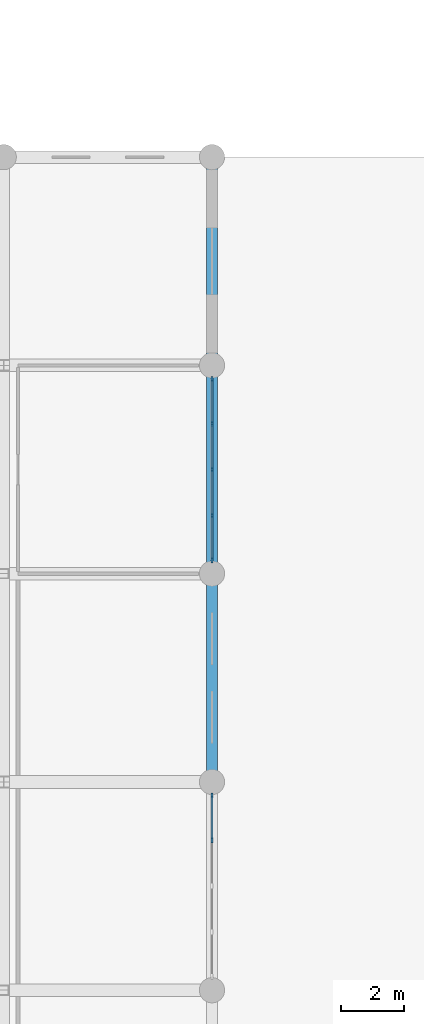
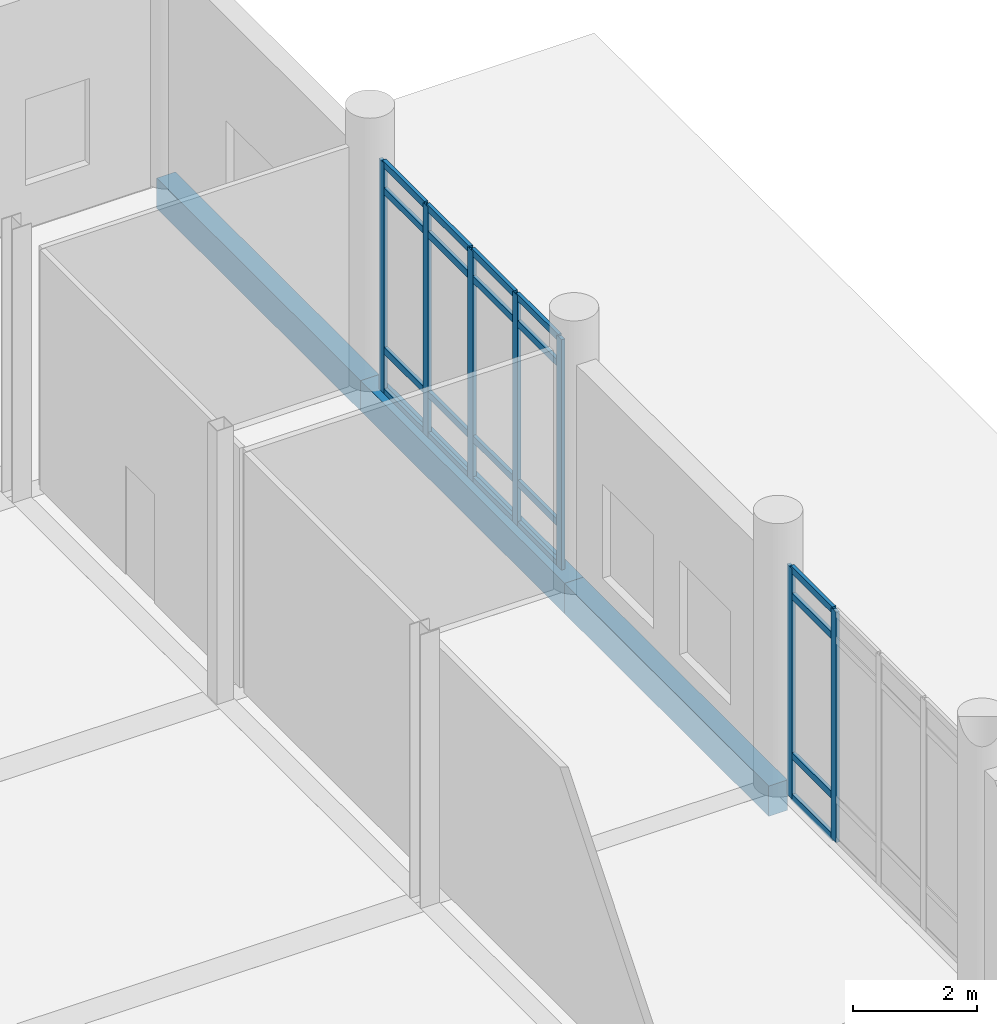
# One storey, part 20 of 72: 27 members, 3 beams, 2 elements without a shape of their own.
"""IFC4 building model written with IfcOpenShell, lengths in metres."""

from ifc_helpers import new_model, si_unit, direction, frame, origin, origin_2d, place, context, subcontext, project, spatial, rectangle, extrude, material, material_profile, profile_set, type_object, element, aggregate, save


model = new_model("IFC4")

# Units and contexts
model_context = context("Model", 3, precision=1e-05, world=origin(), true_north=direction((0.0, 1.0)))
body_context = subcontext(model_context, "Body", "Model", "MODEL_VIEW")
ifc_project = project(units=[si_unit("LENGTHUNIT", "METRE"), si_unit("AREAUNIT", "SQUARE_METRE"), si_unit("VOLUMEUNIT", "CUBIC_METRE"), si_unit("PLANEANGLEUNIT", "RADIAN"), si_unit("MASSUNIT", "GRAM", prefix="KILO")], contexts=[model_context])

# Site, building, storey
site_placement = place(None, origin())
site = spatial("IfcSite", under=ifc_project, at=site_placement, CompositionType="ELEMENT")
building_placement = place(site_placement, origin())
building = spatial("IfcBuilding", under=site, at=building_placement, Name="Dornvale Research Institute", CompositionType="ELEMENT")
storey_placement = place(building_placement, origin())
storey = spatial("IfcBuildingStorey", under=building, at=storey_placement, Name="L00", CompositionType="ELEMENT", Elevation=0.0)

# Beams
ifc_material_1 = material(Name="Concrete f'c 45 MPa (C35/45)", Category="concrete")
ifc_material_profile_1 = material_profile(ifc_material_1, rectangle(XDim=0.35009765625, YDim=0.60009765625, at=origin_2d()), Name="RC 350x600")
ifc_profile_set_1 = profile_set([ifc_material_profile_1], Name="Concrete f'c 45 MPa (C35/45)")
beam_type = type_object("IfcBeamType", Name="Beam_RC350x600_Floor", PredefinedType="BEAM", material=ifc_profile_set_1)
beam_1_placement = place(storey_placement, frame((66.0, 66.0, -0.300048828125), z_axis=(0.0, 1.0, 0.0), x_axis=(-1.0, 0.0, 0.0)))
element("IfcBeam", 1, at=beam_1_placement, inside=storey, type_object=beam_type, Name="L00 transverse girder #265", PredefinedType="BEAM", context=body_context, shape_type="SweptSolid", body=[
    extrude(rectangle(XDim=0.35009765625, YDim=0.60009765625, at=origin_2d()), origin(), (0.0, 0.0, 1.0), 6.60009765625),
])
beam_2_placement = place(storey_placement, frame((66.0, 72.60009765625, -0.300048828125), z_axis=(0.0, 1.0, 0.0), x_axis=(-1.0, 0.0, 0.0)))
element("IfcBeam", 2, at=beam_2_placement, inside=storey, type_object=beam_type, Name="L00 transverse girder #266", PredefinedType="BEAM", context=body_context, shape_type="SweptSolid", body=[
    extrude(rectangle(XDim=0.35009765625, YDim=0.60009765625, at=origin_2d()), origin(), (0.0, 0.0, 1.0), 6.599853515625),
])
beam_3_placement = place(storey_placement, frame((66.0, 79.199951171875, -0.300048828125), z_axis=(0.0, 1.0, 0.0), x_axis=(-1.0, 0.0, 0.0)))
element("IfcBeam", 3, at=beam_3_placement, inside=storey, type_object=beam_type, Name="L00 transverse girder #267", PredefinedType="BEAM", context=body_context, shape_type="SweptSolid", body=[
    extrude(rectangle(XDim=0.35009765625, YDim=0.60009765625, at=origin_2d()), origin(), (0.0, 0.0, 1.0), 6.60009765625),
])

# Curtain wall, members
ifc_material_2 = material(Name="Low-E Argon Double Insulating Glazing Unit", Category="glass")
curtain_wall_type = type_object("IfcCurtainWallType", Name="UnitisedCurtainWall_V2_5810x4550", PredefinedType="USERDEFINED", material=ifc_material_2)
curtain_wall_1_placement = place(storey_placement, origin())
curtain_wall_1 = element("IfcCurtainWall", 4, at=curtain_wall_1_placement, inside=storey, type_object=curtain_wall_type, Name="L00 V2 unitised curtain wall CW-01 #2", ObjectType="UNITISED CURTAIN WALL", PredefinedType="USERDEFINED")
ifc_material_3 = material(Name="Anodized Aluminum AA 6063-T6 Thermally Broken Frame", Category="aluminium")
ifc_material_profile_2 = material_profile(ifc_material_3, rectangle(XDim=0.06494140625, YDim=0.1650390625, at=origin_2d()), Name="ALU MULLION 65x165")
ifc_profile_set_2 = profile_set([ifc_material_profile_2], Name="Anodized Aluminum AA 6063-T6 Thermally Broken Frame")
member_type_1 = type_object("IfcMemberType", Name="Mullion_Atrium_65x165", PredefinedType="MULLION", material=ifc_profile_set_2)
member_1_placement = place(storey_placement, frame((66.0, 78.7724609375, 0.0), z_axis=(0.0, 0.0, 1.0), x_axis=(1.0, 0.0, 0.0)))
member_1 = element("IfcMember", 5, at=member_1_placement, type_object=member_type_1, Name="CW-01 mullion 1", PredefinedType="MULLION", context=body_context, shape_type="SweptSolid", body=[
    extrude(rectangle(XDim=0.06494140625, YDim=0.1650390625, at=origin_2d()), origin(), (0.0, 0.0, 1.0), 4.550048828125),
])
member_2_placement = place(storey_placement, frame((66.0, 77.3525390625, 0.0), z_axis=(0.0, 0.0, 1.0), x_axis=(1.0, 0.0, 0.0)))
member_2 = element("IfcMember", 6, at=member_2_placement, type_object=member_type_1, Name="CW-01 mullion 2", PredefinedType="MULLION", context=body_context, shape_type="SweptSolid", body=[
    extrude(rectangle(XDim=0.06494140625, YDim=0.1650390625, at=origin_2d()), origin(), (0.0, 0.0, 1.0), 4.550048828125),
])
member_3_placement = place(storey_placement, frame((66.0, 75.89990234375, 0.0), z_axis=(0.0, 0.0, 1.0), x_axis=(1.0, 0.0, 0.0)))
member_3 = element("IfcMember", 7, at=member_3_placement, type_object=member_type_1, Name="CW-01 mullion 3", PredefinedType="MULLION", context=body_context, shape_type="SweptSolid", body=[
    extrude(rectangle(XDim=0.06494140625, YDim=0.1650390625, at=origin_2d()), origin(), (0.0, 0.0, 1.0), 4.550048828125),
])
member_4_placement = place(storey_placement, frame((66.0, 74.447509765625, 0.0), z_axis=(0.0, 0.0, 1.0), x_axis=(1.0, 0.0, 0.0)))
member_4 = element("IfcMember", 8, at=member_4_placement, type_object=member_type_1, Name="CW-01 mullion 4", PredefinedType="MULLION", context=body_context, shape_type="SweptSolid", body=[
    extrude(rectangle(XDim=0.06494140625, YDim=0.1650390625, at=origin_2d()), origin(), (0.0, 0.0, 1.0), 4.550048828125),
])
member_5_placement = place(storey_placement, frame((66.0, 73.027587890625, 0.0), z_axis=(0.0, 0.0, 1.0), x_axis=(1.0, 0.0, 0.0)))
member_5 = element("IfcMember", 9, at=member_5_placement, type_object=member_type_1, Name="CW-01 mullion 5", PredefinedType="MULLION", context=body_context, shape_type="SweptSolid", body=[
    extrude(rectangle(XDim=0.06494140625, YDim=0.1650390625, at=origin_2d()), origin(), (0.0, 0.0, 1.0), 4.550048828125),
])

curtain_wall_2_placement = place(storey_placement, origin())
curtain_wall_2 = element("IfcCurtainWall", 10, at=curtain_wall_2_placement, inside=storey, type_object=curtain_wall_type, Name="L00 V2 unitised curtain wall CW-01 #3", ObjectType="UNITISED CURTAIN WALL", PredefinedType="USERDEFINED")
member_6_placement = place(storey_placement, frame((66.0, 65.572509765625, 0.0), z_axis=(0.0, 0.0, 1.0), x_axis=(1.0, 0.0, 0.0)))
member_6 = element("IfcMember", 11, at=member_6_placement, type_object=member_type_1, Name="CW-01 mullion 1", PredefinedType="MULLION", context=body_context, shape_type="SweptSolid", body=[
    extrude(rectangle(XDim=0.06494140625, YDim=0.1650390625, at=origin_2d()), origin(), (0.0, 0.0, 1.0), 4.550048828125),
])
member_7_placement = place(storey_placement, frame((66.0, 64.152587890625, 0.0), z_axis=(0.0, 0.0, 1.0), x_axis=(1.0, 0.0, 0.0)))
member_7 = element("IfcMember", 12, at=member_7_placement, type_object=member_type_1, Name="CW-01 mullion 2", PredefinedType="MULLION", context=body_context, shape_type="SweptSolid", body=[
    extrude(rectangle(XDim=0.06494140625, YDim=0.1650390625, at=origin_2d()), origin(), (0.0, 0.0, 1.0), 4.550048828125),
])

# Member
ifc_material_4 = material(Name="Anodized Aluminum AA 6063-T6 Thermally Broken Frame", Category="aluminium")
ifc_material_profile_3 = material_profile(ifc_material_4, rectangle(XDim=0.06494140625, YDim=0.135009765625, at=origin_2d()), Name="ALU TRANSOM 65x135")
ifc_profile_set_3 = profile_set([ifc_material_profile_3], Name="Anodized Aluminum AA 6063-T6 Thermally Broken Frame")
member_type_2 = type_object("IfcMemberType", Name="Transom_CW_65x135", PredefinedType="USERDEFINED", material=ifc_profile_set_3)
member_8_placement = place(storey_placement, frame((66.0, 78.739990234375, 0.032470703125), z_axis=(0.0, -1.0, 0.0), x_axis=(1.0, 0.0, 0.0)))
member_8 = element("IfcMember", 13, at=member_8_placement, type_object=member_type_2, Name="CW-01 transom 1.1", ObjectType="TRANSOM", PredefinedType="USERDEFINED", context=body_context, shape_type="SweptSolid", body=[
    extrude(rectangle(XDim=0.06494140625, YDim=0.135009765625, at=origin_2d()), origin(), (0.0, 0.0, 1.0), 1.35498046875),
])

member_9_placement = place(storey_placement, frame((66.0, 78.739990234375, 0.85009765625), z_axis=(0.0, -1.0, 0.0), x_axis=(1.0, 0.0, 0.0)))
member_9 = element("IfcMember", 14, at=member_9_placement, type_object=member_type_2, Name="CW-01 transom 1.2", ObjectType="TRANSOM", PredefinedType="USERDEFINED", context=body_context, shape_type="SweptSolid", body=[
    extrude(rectangle(XDim=0.06494140625, YDim=0.135009765625, at=origin_2d()), origin(), (0.0, 0.0, 1.0), 1.35498046875),
])

member_10_placement = place(storey_placement, frame((66.0, 78.739990234375, 4.0), z_axis=(0.0, -1.0, 0.0), x_axis=(1.0, 0.0, 0.0)))
member_10 = element("IfcMember", 15, at=member_10_placement, type_object=member_type_2, Name="CW-01 transom 1.3", ObjectType="TRANSOM", PredefinedType="USERDEFINED", context=body_context, shape_type="SweptSolid", body=[
    extrude(rectangle(XDim=0.06494140625, YDim=0.135009765625, at=origin_2d()), origin(), (0.0, 0.0, 1.0), 1.35498046875),
])

member_11_placement = place(storey_placement, frame((66.0, 78.739990234375, 4.517578125), z_axis=(0.0, -1.0, 0.0), x_axis=(1.0, 0.0, 0.0)))
member_11 = element("IfcMember", 16, at=member_11_placement, type_object=member_type_2, Name="CW-01 transom 1.4", ObjectType="TRANSOM", PredefinedType="USERDEFINED", context=body_context, shape_type="SweptSolid", body=[
    extrude(rectangle(XDim=0.06494140625, YDim=0.135009765625, at=origin_2d()), origin(), (0.0, 0.0, 1.0), 1.35498046875),
])

member_12_placement = place(storey_placement, frame((66.0, 77.320068359375, 0.032470703125), z_axis=(0.0, -1.0, 0.0), x_axis=(1.0, 0.0, 0.0)))
member_12 = element("IfcMember", 17, at=member_12_placement, type_object=member_type_2, Name="CW-01 transom 2.1", ObjectType="TRANSOM", PredefinedType="USERDEFINED", context=body_context, shape_type="SweptSolid", body=[
    extrude(rectangle(XDim=0.06494140625, YDim=0.135009765625, at=origin_2d()), origin(), (0.0, 0.0, 1.0), 1.387451171875),
])

member_13_placement = place(storey_placement, frame((66.0, 77.320068359375, 0.85009765625), z_axis=(0.0, -1.0, 0.0), x_axis=(1.0, 0.0, 0.0)))
member_13 = element("IfcMember", 18, at=member_13_placement, type_object=member_type_2, Name="CW-01 transom 2.2", ObjectType="TRANSOM", PredefinedType="USERDEFINED", context=body_context, shape_type="SweptSolid", body=[
    extrude(rectangle(XDim=0.06494140625, YDim=0.135009765625, at=origin_2d()), origin(), (0.0, 0.0, 1.0), 1.387451171875),
])

member_14_placement = place(storey_placement, frame((66.0, 77.320068359375, 4.0), z_axis=(0.0, -1.0, 0.0), x_axis=(1.0, 0.0, 0.0)))
member_14 = element("IfcMember", 19, at=member_14_placement, type_object=member_type_2, Name="CW-01 transom 2.3", ObjectType="TRANSOM", PredefinedType="USERDEFINED", context=body_context, shape_type="SweptSolid", body=[
    extrude(rectangle(XDim=0.06494140625, YDim=0.135009765625, at=origin_2d()), origin(), (0.0, 0.0, 1.0), 1.387451171875),
])

member_15_placement = place(storey_placement, frame((66.0, 77.320068359375, 4.517578125), z_axis=(0.0, -1.0, 0.0), x_axis=(1.0, 0.0, 0.0)))
member_15 = element("IfcMember", 20, at=member_15_placement, type_object=member_type_2, Name="CW-01 transom 2.4", ObjectType="TRANSOM", PredefinedType="USERDEFINED", context=body_context, shape_type="SweptSolid", body=[
    extrude(rectangle(XDim=0.06494140625, YDim=0.135009765625, at=origin_2d()), origin(), (0.0, 0.0, 1.0), 1.387451171875),
])

member_16_placement = place(storey_placement, frame((66.0, 75.867431640625, 0.032470703125), z_axis=(0.0, -1.0, 0.0), x_axis=(1.0, 0.0, 0.0)))
member_16 = element("IfcMember", 21, at=member_16_placement, type_object=member_type_2, Name="CW-01 transom 3.1", ObjectType="TRANSOM", PredefinedType="USERDEFINED", context=body_context, shape_type="SweptSolid", body=[
    extrude(rectangle(XDim=0.06494140625, YDim=0.135009765625, at=origin_2d()), origin(), (0.0, 0.0, 1.0), 1.387451171875),
])

member_17_placement = place(storey_placement, frame((66.0, 75.867431640625, 0.85009765625), z_axis=(0.0, -1.0, 0.0), x_axis=(1.0, 0.0, 0.0)))
member_17 = element("IfcMember", 22, at=member_17_placement, type_object=member_type_2, Name="CW-01 transom 3.2", ObjectType="TRANSOM", PredefinedType="USERDEFINED", context=body_context, shape_type="SweptSolid", body=[
    extrude(rectangle(XDim=0.06494140625, YDim=0.135009765625, at=origin_2d()), origin(), (0.0, 0.0, 1.0), 1.387451171875),
])

member_18_placement = place(storey_placement, frame((66.0, 75.867431640625, 4.0), z_axis=(0.0, -1.0, 0.0), x_axis=(1.0, 0.0, 0.0)))
member_18 = element("IfcMember", 23, at=member_18_placement, type_object=member_type_2, Name="CW-01 transom 3.3", ObjectType="TRANSOM", PredefinedType="USERDEFINED", context=body_context, shape_type="SweptSolid", body=[
    extrude(rectangle(XDim=0.06494140625, YDim=0.135009765625, at=origin_2d()), origin(), (0.0, 0.0, 1.0), 1.387451171875),
])

member_19_placement = place(storey_placement, frame((66.0, 75.867431640625, 4.517578125), z_axis=(0.0, -1.0, 0.0), x_axis=(1.0, 0.0, 0.0)))
member_19 = element("IfcMember", 24, at=member_19_placement, type_object=member_type_2, Name="CW-01 transom 3.4", ObjectType="TRANSOM", PredefinedType="USERDEFINED", context=body_context, shape_type="SweptSolid", body=[
    extrude(rectangle(XDim=0.06494140625, YDim=0.135009765625, at=origin_2d()), origin(), (0.0, 0.0, 1.0), 1.387451171875),
])

member_20_placement = place(storey_placement, frame((66.0, 74.4150390625, 0.032470703125), z_axis=(0.0, -1.0, 0.0), x_axis=(1.0, 0.0, 0.0)))
member_20 = element("IfcMember", 25, at=member_20_placement, type_object=member_type_2, Name="CW-01 transom 4.1", ObjectType="TRANSOM", PredefinedType="USERDEFINED", context=body_context, shape_type="SweptSolid", body=[
    extrude(rectangle(XDim=0.06494140625, YDim=0.135009765625, at=origin_2d()), origin(), (0.0, 0.0, 1.0), 1.35498046875),
])

member_21_placement = place(storey_placement, frame((66.0, 74.4150390625, 0.85009765625), z_axis=(0.0, -1.0, 0.0), x_axis=(1.0, 0.0, 0.0)))
member_21 = element("IfcMember", 26, at=member_21_placement, type_object=member_type_2, Name="CW-01 transom 4.2", ObjectType="TRANSOM", PredefinedType="USERDEFINED", context=body_context, shape_type="SweptSolid", body=[
    extrude(rectangle(XDim=0.06494140625, YDim=0.135009765625, at=origin_2d()), origin(), (0.0, 0.0, 1.0), 1.35498046875),
])

member_22_placement = place(storey_placement, frame((66.0, 74.4150390625, 4.0), z_axis=(0.0, -1.0, 0.0), x_axis=(1.0, 0.0, 0.0)))
member_22 = element("IfcMember", 27, at=member_22_placement, type_object=member_type_2, Name="CW-01 transom 4.3", ObjectType="TRANSOM", PredefinedType="USERDEFINED", context=body_context, shape_type="SweptSolid", body=[
    extrude(rectangle(XDim=0.06494140625, YDim=0.135009765625, at=origin_2d()), origin(), (0.0, 0.0, 1.0), 1.35498046875),
])

member_23_placement = place(storey_placement, frame((66.0, 74.4150390625, 4.517578125), z_axis=(0.0, -1.0, 0.0), x_axis=(1.0, 0.0, 0.0)))
member_23 = element("IfcMember", 28, at=member_23_placement, type_object=member_type_2, Name="CW-01 transom 4.4", ObjectType="TRANSOM", PredefinedType="USERDEFINED", context=body_context, shape_type="SweptSolid", body=[
    extrude(rectangle(XDim=0.06494140625, YDim=0.135009765625, at=origin_2d()), origin(), (0.0, 0.0, 1.0), 1.35498046875),
])

aggregate(curtain_wall_1, [member_1, member_2, member_3, member_4, member_5, member_8, member_9, member_10, member_11, member_12, member_13, member_14, member_15, member_16, member_17, member_18, member_19, member_20, member_21, member_22, member_23])

member_24_placement = place(storey_placement, frame((66.0, 65.5400390625, 0.032470703125), z_axis=(0.0, -1.0, 0.0), x_axis=(1.0, 0.0, 0.0)))
member_24 = element("IfcMember", 29, at=member_24_placement, type_object=member_type_2, Name="CW-01 transom 1.1", ObjectType="TRANSOM", PredefinedType="USERDEFINED", context=body_context, shape_type="SweptSolid", body=[
    extrude(rectangle(XDim=0.06494140625, YDim=0.135009765625, at=origin_2d()), origin(), (0.0, 0.0, 1.0), 1.35498046875),
])

member_25_placement = place(storey_placement, frame((66.0, 65.5400390625, 0.85009765625), z_axis=(0.0, -1.0, 0.0), x_axis=(1.0, 0.0, 0.0)))
member_25 = element("IfcMember", 30, at=member_25_placement, type_object=member_type_2, Name="CW-01 transom 1.2", ObjectType="TRANSOM", PredefinedType="USERDEFINED", context=body_context, shape_type="SweptSolid", body=[
    extrude(rectangle(XDim=0.06494140625, YDim=0.135009765625, at=origin_2d()), origin(), (0.0, 0.0, 1.0), 1.35498046875),
])

member_26_placement = place(storey_placement, frame((66.0, 65.5400390625, 4.0), z_axis=(0.0, -1.0, 0.0), x_axis=(1.0, 0.0, 0.0)))
member_26 = element("IfcMember", 31, at=member_26_placement, type_object=member_type_2, Name="CW-01 transom 1.3", ObjectType="TRANSOM", PredefinedType="USERDEFINED", context=body_context, shape_type="SweptSolid", body=[
    extrude(rectangle(XDim=0.06494140625, YDim=0.135009765625, at=origin_2d()), origin(), (0.0, 0.0, 1.0), 1.35498046875),
])

member_27_placement = place(storey_placement, frame((66.0, 65.5400390625, 4.517578125), z_axis=(0.0, -1.0, 0.0), x_axis=(1.0, 0.0, 0.0)))
member_27 = element("IfcMember", 32, at=member_27_placement, type_object=member_type_2, Name="CW-01 transom 1.4", ObjectType="TRANSOM", PredefinedType="USERDEFINED", context=body_context, shape_type="SweptSolid", body=[
    extrude(rectangle(XDim=0.06494140625, YDim=0.135009765625, at=origin_2d()), origin(), (0.0, 0.0, 1.0), 1.35498046875),
])

aggregate(curtain_wall_2, [member_6, member_7, member_24, member_25, member_26, member_27])

save(model, "model.ifc")
